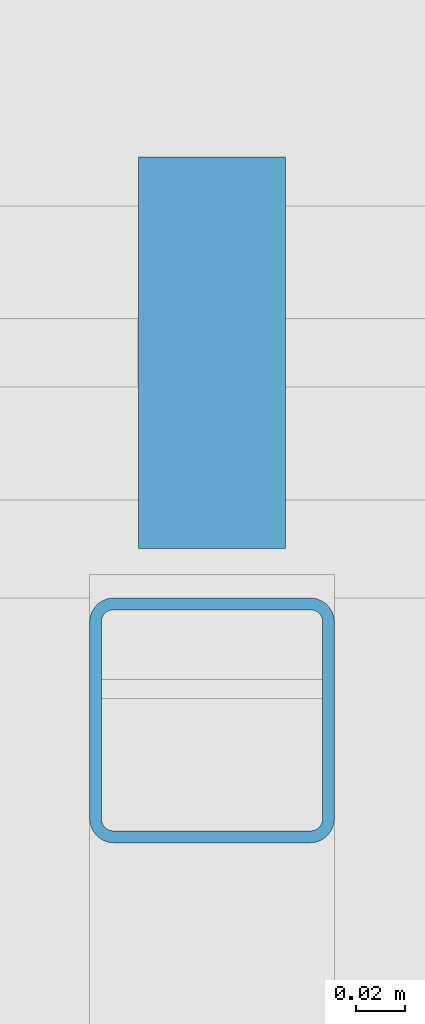
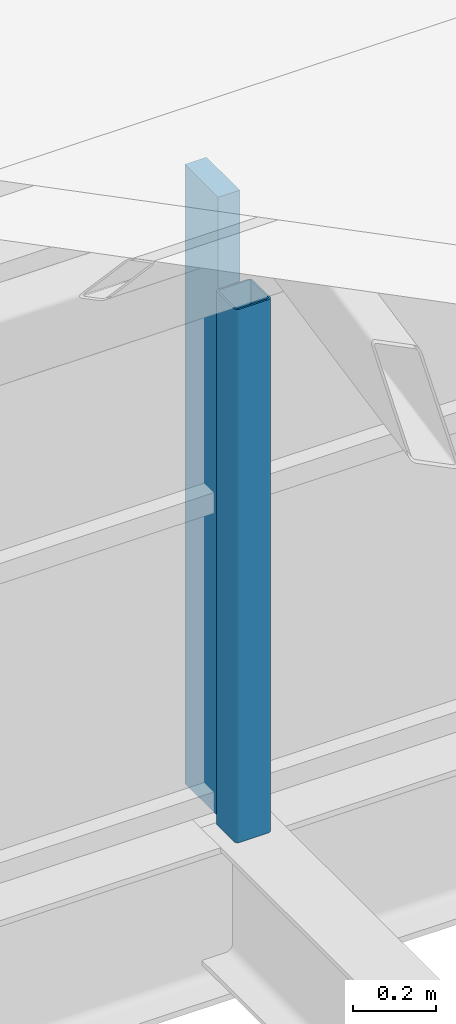
# One storey, part 18 of 121: 2 members, 1 element without a shape of its own.
"""IFC4 building model written with IfcOpenShell, lengths in metres."""

from ifc_helpers import new_model, si_unit, direction, frame, origin, origin_2d, place, context, subcontext, project, spatial, rectangle, hollow_rectangle, extrude, material, layer, layer_set, material_profile, profile_set, type_object, element, aggregate, save


model = new_model("IFC4")

# Units and contexts
model_context = context("Model", 3, precision=1e-05, world=origin(), true_north=direction((0.0, 1.0)))
body_context = subcontext(model_context, "Body", "Model", "MODEL_VIEW")
ifc_project = project(units=[si_unit("LENGTHUNIT", "METRE"), si_unit("AREAUNIT", "SQUARE_METRE"), si_unit("VOLUMEUNIT", "CUBIC_METRE"), si_unit("PLANEANGLEUNIT", "RADIAN"), si_unit("MASSUNIT", "GRAM", prefix="KILO")], contexts=[model_context])

# Site, building, storey
site_placement = place(None, origin())
site = spatial("IfcSite", under=ifc_project, at=site_placement, CompositionType="ELEMENT")
building_placement = place(site_placement, origin())
building = spatial("IfcBuilding", under=site, at=building_placement, Name="Ardhachandra Cancer Care Centre", CompositionType="ELEMENT")
storey_placement = place(building_placement, frame((0.0, 0.0, 9.0)))
storey = spatial("IfcBuildingStorey", under=building, at=storey_placement, Name="L02", CompositionType="ELEMENT", Elevation=9.0)

# Curtain wall, member
ifc_material_1 = material(Name="Aluminium extrusion", Category="aluminium")
ifc_layer = layer(ifc_material_1, 0.14990234375)
ifc_layer_set = layer_set([ifc_layer], Name="Aluminium extrusion")
curtain_wall_type = type_object("IfcCurtainWallType", Name="Curtain wall run", PredefinedType="NOTDEFINED", material=ifc_layer_set)
curtain_wall_placement = place(storey_placement, origin())
curtain_wall = element("IfcCurtainWall", 1, at=curtain_wall_placement, inside=storey, type_object=curtain_wall_type, Name="Curtain wall L02 n/0010800_0046300", PredefinedType="NOTDEFINED")
ifc_material_2 = material(Name="Aluminium extrusion", Category="aluminium")
ifc_material_profile_1 = material_profile(ifc_material_2, rectangle(XDim=0.159912109375, YDim=0.06005859375, at=origin_2d()), Name="Curtain wall mullion 60 x 160")
ifc_profile_set_1 = profile_set([ifc_material_profile_1], Name="Aluminium extrusion")
member_type_1 = type_object("IfcMemberType", Name="Curtain wall mullion 60 x 160", PredefinedType="MULLION", material=ifc_profile_set_1)
member_1_placement = place(storey_placement, frame((27.60009765625, 46.300048828125, 0.0), z_axis=(0.0, 0.0, 1.0), x_axis=(0.0, 1.0, 0.0)))
member_1 = element("IfcMember", 2, at=member_1_placement, type_object=member_type_1, Name="CW mullion 13", PredefinedType="MULLION", context=body_context, shape_type="SweptSolid", body=[
    extrude(rectangle(XDim=0.159912109375, YDim=0.06005859375, at=origin_2d()), origin(), (0.0, 0.0, 1.0), 1.820068359375),
])
aggregate(curtain_wall, [member_1])

# Member
ifc_material_3 = material(Name="Steel E350 (IS 2062)", Category="steel")
ifc_material_profile_2 = material_profile(ifc_material_3, hollow_rectangle(XDim=0.10009765625, YDim=0.10009765625, WallThickness=0.0048828125, InnerFilletRadius=0.0048828125, OuterFilletRadius=0.010009765625, at=origin_2d()), Name="SHS 100x100x5.0")
ifc_profile_set_2 = profile_set([ifc_material_profile_2], Name="Steel E350 (IS 2062)")
member_type_2 = type_object("IfcMemberType", Name="Sawtooth ridge post SHS 100x100x5.0", PredefinedType="POST", material=ifc_profile_set_2)
member_2_placement = place(storey_placement, frame((27.60009765625, 46.14990234375, 0.0), z_axis=(0.0, 0.0, 1.0), x_axis=(1.0, 0.0, 0.0)))
element("IfcMember", 3, at=member_2_placement, inside=storey, type_object=member_type_2, Name="Ridge post T2a.3", PredefinedType="POST", context=body_context, shape_type="SweptSolid", body=[
    extrude(hollow_rectangle(XDim=0.10009765625, YDim=0.10009765625, WallThickness=0.0048828125, InnerFilletRadius=0.0048828125, OuterFilletRadius=0.010009765625, at=origin_2d()), origin(), (0.0, 0.0, 1.0), 1.5673828125),
])

save(model, "model.ifc")
